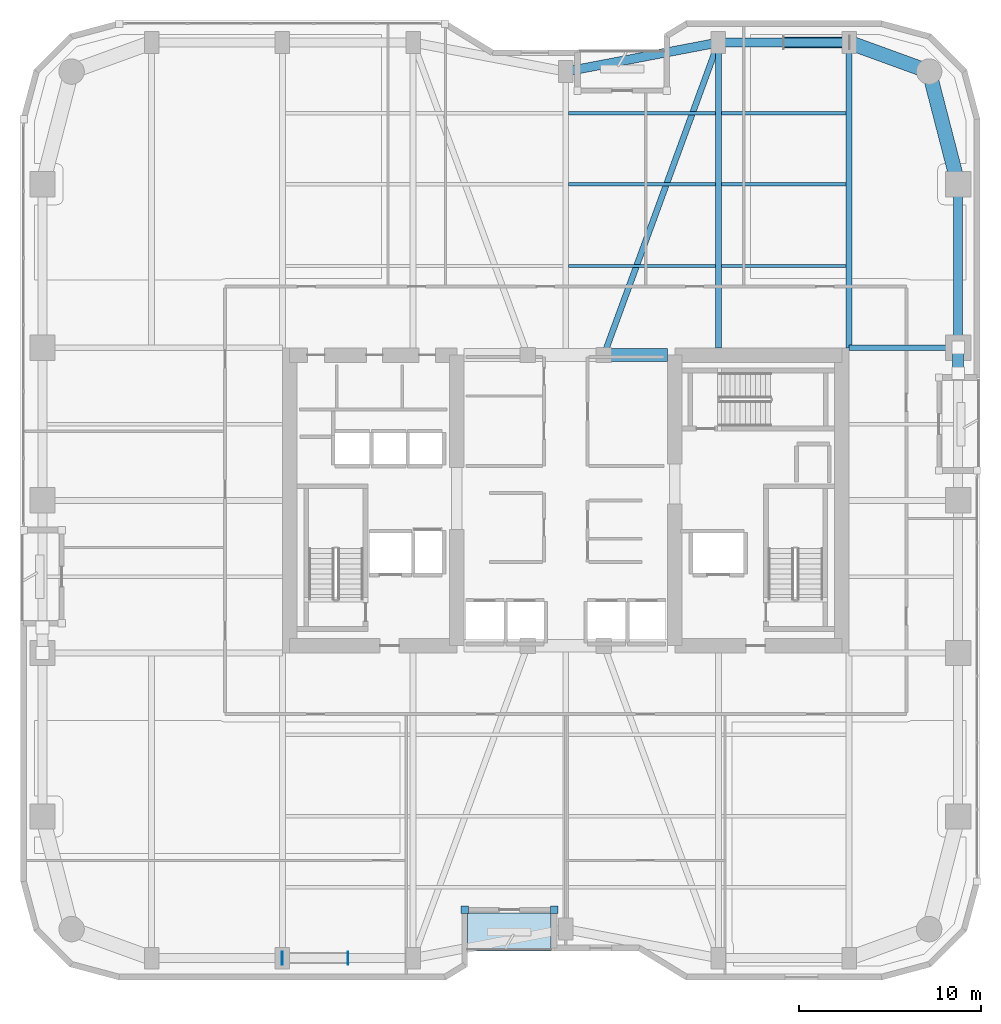
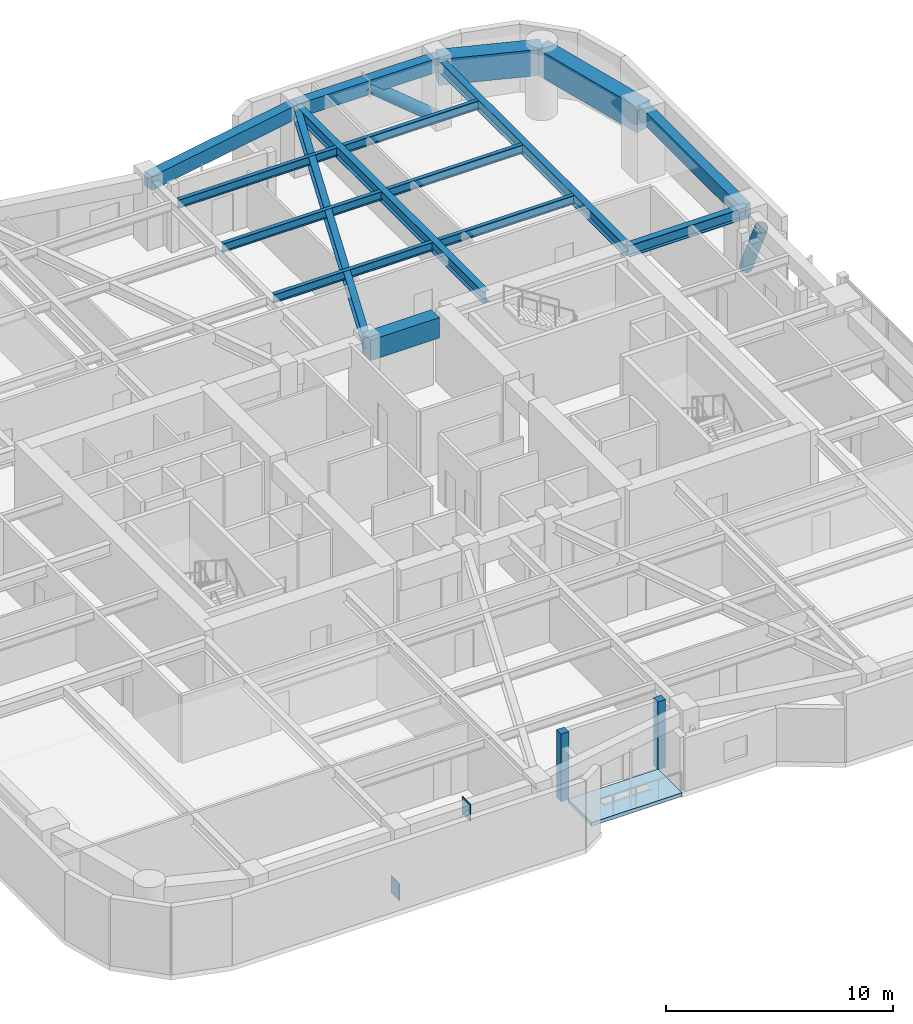
# One storey, part 15 of 24: 16 beams, 4 plates, 2 members, 1 slab.
"""IFC4 building model written with IfcOpenShell, lengths in metres."""

from ifc_helpers import new_model, si_unit, direction, frame, origin, origin_2d, place, context, subcontext, project, spatial, polyline, rectangle, hollow_circle, i_section, outline, extrude, material, layer, layer_set, material_profile, profile_set, type_object, element, save


model = new_model("IFC4")

# Units and contexts
model_context = context("Model", 3, precision=1e-05, world=origin(), true_north=direction((0.0, 1.0)))
body_context = subcontext(model_context, "Body", "Model", "MODEL_VIEW")
ifc_project = project(units=[si_unit("LENGTHUNIT", "METRE"), si_unit("AREAUNIT", "SQUARE_METRE"), si_unit("VOLUMEUNIT", "CUBIC_METRE"), si_unit("PLANEANGLEUNIT", "RADIAN"), si_unit("MASSUNIT", "GRAM", prefix="KILO")], contexts=[model_context])

# Site, building, storey
site_placement = place(None, origin())
site = spatial("IfcSite", under=ifc_project, at=site_placement, CompositionType="ELEMENT")
building_placement = place(site_placement, origin())
building = spatial("IfcBuilding", under=site, at=building_placement, Name="Kiyonajd Concourse Tower", CompositionType="ELEMENT")
storey_placement = place(building_placement, frame((0.0, 0.0, 93.60009765625)))
storey = spatial("IfcBuildingStorey", under=building, at=storey_placement, Name="L24", CompositionType="ELEMENT", Elevation=93.60009765625)

# Beams
ifc_material_1 = material(Name="Concrete C70/85", Category="concrete")
ifc_material_profile_1 = material_profile(ifc_material_1, rectangle(XDim=0.699951171875, YDim=1.10009765625, at=origin_2d()), Name="RCBM-700x1100")
ifc_profile_set_1 = profile_set([ifc_material_profile_1], Name="Concrete C70/85")
beam_type_1 = type_object("IfcBeamType", Name="BM-COUP-1100", PredefinedType="LINTEL", material=ifc_profile_set_1)
beam_1_placement = place(storey_placement, frame((50.10009765625, 44.0, 3.08984375), z_axis=(1.0, 0.0, 0.0), x_axis=(0.0, 1.0, 0.0)))
element("IfcBeam", 1, at=beam_1_placement, inside=storey, type_object=beam_type_1, Name="L24 Core Coupling Beam N3", PredefinedType="LINTEL", context=body_context, shape_type="SweptSolid", body=[
    extrude(rectangle(XDim=0.699951171875, YDim=1.10009765625, at=origin_2d()), origin(), (0.0, 0.0, 1.0), 3.5),
])
ifc_material_2 = material(Name="Steel ASTM A992 Grade 50", Category="steel")
ifc_material_profile_2 = material_profile(ifc_material_2, i_section(OverallWidth=0.19189453125, OverallDepth=0.462890625, WebThickness=0.010498046875, FlangeThickness=0.017578125, at=origin_2d()), Name="W460X89")
ifc_profile_set_2 = profile_set([ifc_material_profile_2], Name="Steel ASTM A992 Grade 50")
beam_type_2 = type_object("IfcBeamType", Name="BM-JST-460B", PredefinedType="JOIST", material=ifc_profile_set_2)
beam_2_placement = place(storey_placement, frame((48.16357421875, 48.89990234375, 3.408447265625), z_axis=(1.0, 0.0, 0.0), x_axis=(0.0, 1.0, 0.0)))
element("IfcBeam", 2, at=beam_2_placement, inside=storey, type_object=beam_type_2, Name="L24 Secondary Floor Joist", PredefinedType="JOIST", context=body_context, shape_type="SweptSolid", body=[
    extrude(i_section(OverallWidth=0.19189453125, OverallDepth=0.462890625, WebThickness=0.010498046875, FlangeThickness=0.017578125, at=origin_2d()), origin(), (0.0, 0.0, 1.0), 8.072998046875),
])
beam_3_placement = place(storey_placement, frame((56.5634765625, 48.89990234375, 3.408447265625), z_axis=(1.0, 0.0, 0.0), x_axis=(0.0, 1.0, 0.0)))
element("IfcBeam", 3, at=beam_3_placement, inside=storey, type_object=beam_type_2, Name="L24 Secondary Floor Joist", PredefinedType="JOIST", context=body_context, shape_type="SweptSolid", body=[
    extrude(i_section(OverallWidth=0.19189453125, OverallDepth=0.462890625, WebThickness=0.010498046875, FlangeThickness=0.017578125, at=origin_2d()), origin(), (0.0, 0.0, 1.0), 6.873046875),
])
beam_4_placement = place(storey_placement, frame((48.16357421875, 53.39990234375, 3.408447265625), z_axis=(1.0, 0.0, 0.0), x_axis=(0.0, 1.0, 0.0)))
element("IfcBeam", 4, at=beam_4_placement, inside=storey, type_object=beam_type_2, Name="L24 Secondary Floor Joist", PredefinedType="JOIST", context=body_context, shape_type="SweptSolid", body=[
    extrude(i_section(OverallWidth=0.19189453125, OverallDepth=0.462890625, WebThickness=0.010498046875, FlangeThickness=0.017578125, at=origin_2d()), origin(), (0.0, 0.0, 1.0), 8.072998046875),
])
beam_5_placement = place(storey_placement, frame((56.5634765625, 53.39990234375, 3.408447265625), z_axis=(1.0, 0.0, 0.0), x_axis=(0.0, 1.0, 0.0)))
element("IfcBeam", 5, at=beam_5_placement, inside=storey, type_object=beam_type_2, Name="L24 Secondary Floor Joist", PredefinedType="JOIST", context=body_context, shape_type="SweptSolid", body=[
    extrude(i_section(OverallWidth=0.19189453125, OverallDepth=0.462890625, WebThickness=0.010498046875, FlangeThickness=0.017578125, at=origin_2d()), origin(), (0.0, 0.0, 1.0), 6.873046875),
])
beam_6_placement = place(storey_placement, frame((48.16357421875, 57.300048828125, 3.408447265625), z_axis=(1.0, 0.0, 0.0), x_axis=(0.0, 1.0, 0.0)))
element("IfcBeam", 6, at=beam_6_placement, inside=storey, type_object=beam_type_2, Name="L24 Secondary Floor Joist", PredefinedType="JOIST", context=body_context, shape_type="SweptSolid", body=[
    extrude(i_section(OverallWidth=0.19189453125, OverallDepth=0.462890625, WebThickness=0.010498046875, FlangeThickness=0.017578125, at=origin_2d()), origin(), (0.0, 0.0, 1.0), 8.072998046875),
])
beam_7_placement = place(storey_placement, frame((56.5634765625, 57.300048828125, 3.408447265625), z_axis=(1.0, 0.0, 0.0), x_axis=(0.0, 1.0, 0.0)))
element("IfcBeam", 7, at=beam_7_placement, inside=storey, type_object=beam_type_2, Name="L24 Secondary Floor Joist", PredefinedType="JOIST", context=body_context, shape_type="SweptSolid", body=[
    extrude(i_section(OverallWidth=0.19189453125, OverallDepth=0.462890625, WebThickness=0.010498046875, FlangeThickness=0.017578125, at=origin_2d()), origin(), (0.0, 0.0, 1.0), 6.873046875),
])
ifc_material_3 = material(Name="Precast concrete C50/60", Category="concrete")
ifc_material_profile_3 = material_profile(ifc_material_3, rectangle(XDim=0.5, YDim=0.75, at=origin_2d()), Name="RCBM-500x750")
ifc_profile_set_3 = profile_set([ifc_material_profile_3], Name="Precast concrete C50/60")
beam_type_3 = type_object("IfcBeamType", Name="BM-SPAN-RC", PredefinedType="SPANDREL", material=ifc_profile_set_3)
beam_8_placement = place(storey_placement, frame((69.60009765625, 44.39990234375, 3.264892578125), z_axis=(0.0, 1.0, 0.0), x_axis=(-1.0, 0.0, 0.0)))
element("IfcBeam", 8, at=beam_8_placement, inside=storey, type_object=beam_type_3, Name="L24 Perimeter Bundled Tube Spandrel", PredefinedType="SPANDREL", context=body_context, shape_type="SweptSolid", body=[
    extrude(rectangle(XDim=0.5, YDim=0.75, at=origin_2d()), origin(), (0.0, 0.0, 1.0), 9.0),
])
beam_9_placement = place(storey_placement, frame((63.60009765625, 61.199951171875, 3.264892578125), z_axis=(-1.0, 0.0, 0.0), x_axis=(0.0, -1.0, 0.0)))
element("IfcBeam", 9, at=beam_9_placement, inside=storey, type_object=beam_type_3, Name="L24 Perimeter Bundled Tube Spandrel", PredefinedType="SPANDREL", context=body_context, shape_type="SweptSolid", body=[
    extrude(rectangle(XDim=0.5, YDim=0.75, at=origin_2d()), origin(), (0.0, 0.0, 1.0), 7.2001953125),
])
beam_10_placement = place(storey_placement, frame((56.39990234375, 61.199951171875, 3.264892578125), z_axis=(-0.982341315253, -0.187097675953, 0.0), x_axis=(0.187097675953, -0.982341315253, 0.0)))
element("IfcBeam", 10, at=beam_10_placement, inside=storey, type_object=beam_type_3, Name="L24 Perimeter Bundled Tube Spandrel", PredefinedType="SPANDREL", context=body_context, shape_type="SweptSolid", body=[
    extrude(rectangle(XDim=0.5, YDim=0.75, at=origin_2d()), origin(), (0.0, 0.0, 1.0), 8.55078125),
])
ifc_material_profile_4 = material_profile(ifc_material_2, i_section(OverallWidth=0.326904296875, OverallDepth=0.6220703125, WebThickness=0.015380859375, FlangeThickness=0.0244140625, at=origin_2d()), Name="W610X195")
ifc_profile_set_4 = profile_set([ifc_material_profile_4], Name="Steel ASTM A992 Grade 50")
beam_type_4 = type_object("IfcBeamType", Name="BM-TWR-610A", PredefinedType="BEAM", material=ifc_profile_set_4)
beam_11_placement = place(storey_placement, frame((50.10009765625, 44.0, 3.328857421875), z_axis=(0.343925269715, 0.938997022813, 0.0), x_axis=(-0.938997022813, 0.343925269715, 0.0)))
element("IfcBeam", 11, at=beam_11_placement, inside=storey, type_object=beam_type_4, Name="L24 Core Tie Girder", PredefinedType="BEAM", context=body_context, shape_type="SweptSolid", body=[
    extrude(i_section(OverallWidth=0.326904296875, OverallDepth=0.6220703125, WebThickness=0.015380859375, FlangeThickness=0.0244140625, at=origin_2d()), origin(), (0.0, 0.0, 1.0), 18.3173828125),
])
for number, where, z_axis, x_axis, name in (
    (12, (56.39990234375, 44.39990234375, 3.328857421875), (0.0, 1.0, 0.0), (-1.0, 0.0, 0.0), "L24 North Lease Girder"),
    (13, (63.60009765625, 44.39990234375, 3.328857421875), (0.0, 1.0, 0.0), (-1.0, 0.0, 0.0), "L24 North Lease Girder"),
):
    element("IfcBeam", number, at=place(storey_placement, frame(where, z_axis=z_axis, x_axis=x_axis)), inside=storey, type_object=beam_type_4, Name=name, PredefinedType="BEAM", context=body_context, shape_type="SweptSolid", body=[
        extrude(i_section(OverallWidth=0.326904296875, OverallDepth=0.6220703125, WebThickness=0.015380859375, FlangeThickness=0.0244140625, at=origin_2d()), origin(), (0.0, 0.0, 1.0), 16.800048828125),
    ])
beam_12_placement = place(storey_placement, frame((63.60009765625, 44.39990234375, 3.328857421875), z_axis=(1.0, 0.0, 0.0), x_axis=(0.0, 1.0, 0.0)))
element("IfcBeam", 14, at=beam_12_placement, inside=storey, type_object=beam_type_4, Name="L24 East Lease Girder", PredefinedType="BEAM", context=body_context, shape_type="SweptSolid", body=[
    extrude(i_section(OverallWidth=0.326904296875, OverallDepth=0.6220703125, WebThickness=0.015380859375, FlangeThickness=0.0244140625, at=origin_2d()), origin(), (0.0, 0.0, 1.0), 6.0),
])
ifc_material_4 = material(Name="Concrete C60/75", Category="concrete")
ifc_material_profile_5 = material_profile(ifc_material_4, rectangle(XDim=0.800048828125, YDim=1.39990234375, at=origin_2d()), Name="RCBM-800x1400")
ifc_profile_set_5 = profile_set([ifc_material_profile_5], Name="Concrete C60/75")
beam_type_5 = type_object("IfcBeamType", Name="BM-XFER-RC", PredefinedType="BEAM", material=ifc_profile_set_5)
beam_13_placement = place(storey_placement, frame((69.60009765625, 53.39990234375, 2.93994140625), z_axis=(-0.249884937687, 0.968275538221, 0.0), x_axis=(-0.968275538221, -0.249884937687, 0.0)))
element("IfcBeam", 15, at=beam_13_placement, inside=storey, type_object=beam_type_5, Name="L24 Perimeter Bundled Tube Spandrel", PredefinedType="BEAM", context=body_context, shape_type="SweptSolid", body=[
    extrude(rectangle(XDim=0.800048828125, YDim=1.39990234375, at=origin_2d()), origin(), (0.0, 0.0, 1.0), 6.4033203125),
])
beam_14_placement = place(storey_placement, frame((68.0, 59.60009765625, 2.93994140625), z_axis=(-0.939801036019, 0.341722127901, 0.0), x_axis=(-0.341722127901, -0.939801036019, 0.0)))
element("IfcBeam", 16, at=beam_14_placement, inside=storey, type_object=beam_type_5, Name="L24 Perimeter Bundled Tube Spandrel", PredefinedType="BEAM", context=body_context, shape_type="SweptSolid", body=[
    extrude(rectangle(XDim=0.800048828125, YDim=1.39990234375, at=origin_2d()), origin(), (0.0, 0.0, 1.0), 4.681640625),
])

# Members
ifc_material_5 = material(Name="Steel ASTM A572 Grade 50", Category="steel")
ifc_material_profile_6 = material_profile(ifc_material_5, hollow_circle(Radius=0.304931640625, WallThickness=0.02490234375, at=origin_2d()), Name="CHS-610x25")
ifc_profile_set_6 = profile_set([ifc_material_profile_6], Name="Steel ASTM A572 Grade 50")
member_type = type_object("IfcMemberType", Name="MB-PB-LOW", PredefinedType="BRACE", material=ifc_profile_set_6)
member_1_placement = place(storey_placement, frame((63.60009765625, 61.199951171875, 0.2998046875), z_axis=(-0.769280705518, 0.0, 0.638910945373), x_axis=(0.0, -1.0, 0.0)))
element("IfcMember", 17, at=member_1_placement, inside=storey, type_object=member_type, Name="L24 Lower Zone Welded Tube Brace PBN", PredefinedType="BRACE", context=body_context, shape_type="SweptSolid", body=[
    extrude(hollow_circle(Radius=0.304931640625, WallThickness=0.02490234375, at=origin_2d()), origin(), (0.0, 0.0, 1.0), 4.679931640625),
])
member_2_placement = place(storey_placement, frame((69.60009765625, 44.39990234375, 0.2998046875), z_axis=(0.0, -0.424022702926, 0.905651559598), x_axis=(1.0, 0.0, 0.0)))
element("IfcMember", 18, at=member_2_placement, inside=storey, type_object=member_type, Name="L24 Lower Zone Welded Tube Brace PBE", PredefinedType="BRACE", context=body_context, shape_type="SweptSolid", body=[
    extrude(hollow_circle(Radius=0.304931640625, WallThickness=0.02490234375, at=origin_2d()), origin(), (0.0, 0.0, 1.0), 3.301513671875),
])

# Plates
ifc_layer_1 = layer(ifc_material_5, 0.028076171875)
ifc_layer_set_1 = layer_set([ifc_layer_1], Name="Steel ASTM A572 Grade 50")
plate_type_1 = type_object("IfcPlateType", Name="PL-CAP-450", PredefinedType="USERDEFINED", material=ifc_layer_set_1)
for number, where, z_axis, x_axis, name in (
    (19, (32.3916015625, 10.800048828125, -0.173583984375), (0.0, 0.0, 1.0), (-1.0, 0.0, 0.0), "L24 Hollow Brace End Cap Plate PBS"),
    (20, (36.008544921875, 10.800048828125, 2.830322265625), (0.0, 0.0, 1.0), (1.0, 0.0, 0.0), "L24 Hollow Brace Top Cap Plate PBS"),
):
    element("IfcPlate", number, at=place(storey_placement, frame(where, z_axis=z_axis, x_axis=x_axis)), inside=storey, type_object=plate_type_1, Name=name, ObjectType="CAP PLATE", PredefinedType="USERDEFINED", context=body_context, shape_type="SweptSolid", body=[
        extrude(rectangle(XDim=0.035888671875, YDim=0.72998046875, at=origin_2d()), origin(), (0.0, 0.0, 1.0), 0.93310546875),
    ])
ifc_material_6 = material(Name="Thermally Broken Anodised Aluminium", Category="aluminium")
ifc_layer_2 = layer(ifc_material_6, 0.39990234375)
ifc_layer_set_2 = layer_set([ifc_layer_2], Name="Thermally Broken Anodised Aluminium")
plate_type_2 = type_object("IfcPlateType", Name="PL-JMB-400", PredefinedType="USERDEFINED", material=ifc_layer_set_2)
for number, where, z_axis, x_axis, name in (
    (21, (47.360107421875, 13.4599609375, 0.0), (0.0, 0.0, 1.0), (1.0, 0.0, 0.0), "L24 Facade Jamb Closure Plate 13"),
    (22, (42.43994140625, 13.4599609375, 0.0), (0.0, 0.0, 1.0), (1.0, 0.0, 0.0), "L24 Facade Jamb Closure Plate 14"),
):
    element("IfcPlate", number, at=place(storey_placement, frame(where, z_axis=z_axis, x_axis=x_axis)), inside=storey, type_object=plate_type_2, Name=name, ObjectType="JAMB PLATE", PredefinedType="USERDEFINED", context=body_context, shape_type="SweptSolid", body=[
        extrude(rectangle(XDim=0.39990234375, YDim=0.39990234375, at=origin_2d()), origin(), (0.0, 0.0, 1.0), 3.639892578125),
    ])

# Slab
ifc_layer_3 = layer(ifc_material_3, 0.199951171875)
ifc_layer_set_3 = layer_set([ifc_layer_3], Name="Precast concrete C50/60")
slab_type = type_object("IfcSlabType", Name="SL-LOG-200", PredefinedType="FLOOR", material=ifc_layer_set_3)
slab_placement = place(storey_placement, frame((0.0, 0.0, -0.2001953125)))
element("IfcSlab", 23, at=slab_placement, inside=storey, type_object=slab_type, Name="L24 Recessed Engawa Loggia Terrace Slab LOG-S", PredefinedType="FLOOR", context=body_context, shape_type="SweptSolid", body=[
    extrude(outline(polyline([(42.60009765625, 11.199951171875), (47.199951171875, 11.199951171875), (47.199951171875, 13.300048828125), (42.60009765625, 13.300048828125), (42.60009765625, 11.199951171875)])), origin(), (0.0, 0.0, 1.0), 0.2001953125),
])

save(model, "model.ifc")
